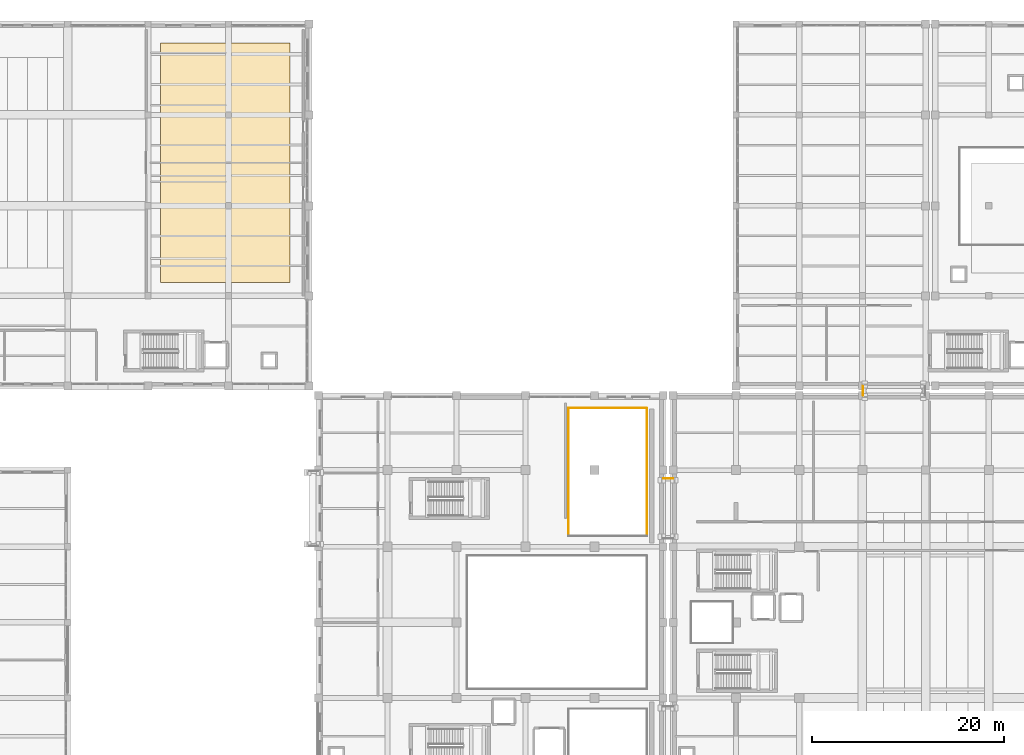
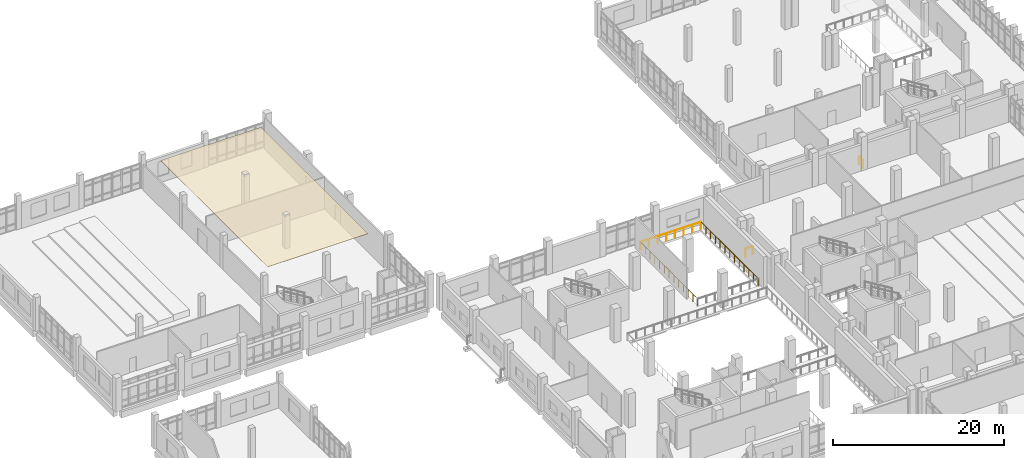
# One storey, part 88 of 90: 5 railings, 1 covering.
"""IFC4 building model written with IfcOpenShell, lengths in metres."""

from ifc_helpers import new_model, si_unit, direction, frame, origin, origin_2d, place, context, subcontext, project, spatial, polyline, circle, outline, extrude, material, layer, layer_set, type_object, element, save


model = new_model("IFC4")

# Units and contexts
model_context = context("Model", 3, precision=1e-05, world=origin(), true_north=direction((0.0, 1.0)))
body_context = subcontext(model_context, "Body", "Model", "MODEL_VIEW")
ifc_project = project(units=[si_unit("LENGTHUNIT", "METRE"), si_unit("AREAUNIT", "SQUARE_METRE"), si_unit("VOLUMEUNIT", "CUBIC_METRE"), si_unit("PLANEANGLEUNIT", "RADIAN"), si_unit("MASSUNIT", "GRAM", prefix="KILO")], contexts=[model_context])

# Site, building, storey
site_placement = place(None, origin())
site = spatial("IfcSite", under=ifc_project, at=site_placement, CompositionType="ELEMENT")
building_placement = place(site_placement, origin())
building = spatial("IfcBuilding", under=site, at=building_placement, Name="Kelarvand Opera House", CompositionType="ELEMENT")
storey_placement = place(building_placement, frame((0.0, 0.0, 5.39990234375)))
storey = spatial("IfcBuildingStorey", under=building, at=storey_placement, Name="L01", CompositionType="ELEMENT", Elevation=5.39990234375)

# Railings
ifc_material_1 = material(Name="Laminated safety glass with bronze cap rail", Category="glass")
railing_type_1 = type_object("IfcRailingType", Name="Laminated Glass and Bronze Foyer Balustrade 1120", PredefinedType="BALUSTRADE", material=ifc_material_1)
railing_1_placement = place(storey_placement, frame((88.0, 77.52001953125, 0.0)))
element("IfcRailing", 1, at=railing_1_placement, inside=storey, type_object=railing_type_1, Name="V1 L01 Balustrade 138", PredefinedType="BALUSTRADE", context=body_context, shape_type="SweptSolid", body=[
    extrude(circle(Radius=0.02392578125, at=origin_2d()), frame((0.0, 0.0, 1.09619140625), z_axis=(1.0, 0.0, 0.0), x_axis=(0.0, 1.0, 0.0)), (0.0, 0.0, 1.0), 1.0),
    extrude(circle(Radius=0.02099609375, at=origin_2d()), origin(), (0.0, 0.0, 1.0), 1.072021484375),
    extrude(circle(Radius=0.02099609375, at=origin_2d()), frame((1.0, 0.0, 0.0)), (0.0, 0.0, 1.0), 1.072021484375),
])
railing_2_placement = place(storey_placement, frame((108.8798828125, 86.199951171875, 0.0)))
element("IfcRailing", 2, at=railing_2_placement, inside=storey, type_object=railing_type_1, Name="V1 L01 Balustrade 173", PredefinedType="BALUSTRADE", context=body_context, shape_type="SweptSolid", body=[
    extrude(circle(Radius=0.02392578125, at=origin_2d()), frame((0.0, 0.0, 1.09619140625), z_axis=(0.0, 1.0, 0.0), x_axis=(-1.0, 0.0, 0.0)), (0.0, 0.0, 1.0), 1.0),
    extrude(circle(Radius=0.02099609375, at=origin_2d()), origin(), (0.0, 0.0, 1.0), 1.072021484375),
    extrude(circle(Radius=0.02099609375, at=origin_2d()), frame((0.0, 1.0, 0.0)), (0.0, 0.0, 1.0), 1.072021484375),
])
ifc_material_2 = material(Name="Powder-coated Steel S355", Category="steel")
railing_type_2 = type_object("IfcRailingType", Name="Painted Steel Stair and Void Guardrail 1100", PredefinedType="GUARDRAIL", material=ifc_material_2)
railing_3_placement = place(storey_placement, frame((86.280029296875, 84.8798828125, 0.0)))
element("IfcRailing", 3, at=railing_3_placement, inside=storey, type_object=railing_type_2, Name="V2 L01 Guardrail 37", PredefinedType="GUARDRAIL", context=body_context, shape_type="SweptSolid", body=[
    extrude(circle(Radius=0.02392578125, at=origin_2d()), frame((0.0, 0.0, 1.076171875), z_axis=(0.0, -1.0, 0.0), x_axis=(1.0, 0.0, 0.0)), (0.0, 0.0, 1.0), 13.35986328125),
    extrude(circle(Radius=0.02099609375, at=origin_2d()), origin(), (0.0, 0.0, 1.0), 1.052001953125),
    extrude(circle(Radius=0.02099609375, at=origin_2d()), frame((0.0, -1.11328125, 0.0)), (0.0, 0.0, 1.0), 1.052001953125),
    extrude(circle(Radius=0.02099609375, at=origin_2d()), frame((0.0, -2.2265625, 0.0)), (0.0, 0.0, 1.0), 1.052001953125),
    extrude(circle(Radius=0.02099609375, at=origin_2d()), frame((0.0, -3.33984375, 0.0)), (0.0, 0.0, 1.0), 1.052001953125),
    extrude(circle(Radius=0.02099609375, at=origin_2d()), frame((0.0, -4.453369140625, 0.0)), (0.0, 0.0, 1.0), 1.052001953125),
    extrude(circle(Radius=0.02099609375, at=origin_2d()), frame((0.0, -5.566650390625, 0.0)), (0.0, 0.0, 1.0), 1.052001953125),
    extrude(circle(Radius=0.02099609375, at=origin_2d()), frame((0.0, -6.679931640625, 0.0)), (0.0, 0.0, 1.0), 1.052001953125),
    extrude(circle(Radius=0.02099609375, at=origin_2d()), frame((0.0, -7.793212890625, 0.0)), (0.0, 0.0, 1.0), 1.052001953125),
    extrude(circle(Radius=0.02099609375, at=origin_2d()), frame((0.0, -8.906494140625, 0.0)), (0.0, 0.0, 1.0), 1.052001953125),
    extrude(circle(Radius=0.02099609375, at=origin_2d()), frame((0.0, -10.02001953125, 0.0)), (0.0, 0.0, 1.0), 1.052001953125),
    extrude(circle(Radius=0.02099609375, at=origin_2d()), frame((0.0, -11.13330078125, 0.0)), (0.0, 0.0, 1.0), 1.052001953125),
    extrude(circle(Radius=0.02099609375, at=origin_2d()), frame((0.0, -12.24658203125, 0.0)), (0.0, 0.0, 1.0), 1.052001953125),
    extrude(circle(Radius=0.02099609375, at=origin_2d()), frame((0.0, -13.35986328125, 0.0)), (0.0, 0.0, 1.0), 1.052001953125),
])
railing_4_placement = place(storey_placement, frame((78.1201171875, 71.52001953125, 0.0)))
element("IfcRailing", 4, at=railing_4_placement, inside=storey, type_object=railing_type_2, Name="V2 L01 Guardrail 39", PredefinedType="GUARDRAIL", context=body_context, shape_type="SweptSolid", body=[
    extrude(circle(Radius=0.02392578125, at=origin_2d()), frame((0.0, 0.0, 1.076171875), z_axis=(0.0, 1.0, 0.0), x_axis=(-1.0, 0.0, 0.0)), (0.0, 0.0, 1.0), 13.35986328125),
    extrude(circle(Radius=0.02099609375, at=origin_2d()), origin(), (0.0, 0.0, 1.0), 1.052001953125),
    extrude(circle(Radius=0.02099609375, at=origin_2d()), frame((0.0, 1.11328125, 0.0)), (0.0, 0.0, 1.0), 1.052001953125),
    extrude(circle(Radius=0.02099609375, at=origin_2d()), frame((0.0, 2.2265625, 0.0)), (0.0, 0.0, 1.0), 1.052001953125),
    extrude(circle(Radius=0.02099609375, at=origin_2d()), frame((0.0, 3.33984375, 0.0)), (0.0, 0.0, 1.0), 1.052001953125),
    extrude(circle(Radius=0.02099609375, at=origin_2d()), frame((0.0, 4.453369140625, 0.0)), (0.0, 0.0, 1.0), 1.052001953125),
    extrude(circle(Radius=0.02099609375, at=origin_2d()), frame((0.0, 5.566650390625, 0.0)), (0.0, 0.0, 1.0), 1.052001953125),
    extrude(circle(Radius=0.02099609375, at=origin_2d()), frame((0.0, 6.679931640625, 0.0)), (0.0, 0.0, 1.0), 1.052001953125),
    extrude(circle(Radius=0.02099609375, at=origin_2d()), frame((0.0, 7.793212890625, 0.0)), (0.0, 0.0, 1.0), 1.052001953125),
    extrude(circle(Radius=0.02099609375, at=origin_2d()), frame((0.0, 8.906494140625, 0.0)), (0.0, 0.0, 1.0), 1.052001953125),
    extrude(circle(Radius=0.02099609375, at=origin_2d()), frame((0.0, 10.02001953125, 0.0)), (0.0, 0.0, 1.0), 1.052001953125),
    extrude(circle(Radius=0.02099609375, at=origin_2d()), frame((0.0, 11.13330078125, 0.0)), (0.0, 0.0, 1.0), 1.052001953125),
    extrude(circle(Radius=0.02099609375, at=origin_2d()), frame((0.0, 12.24658203125, 0.0)), (0.0, 0.0, 1.0), 1.052001953125),
    extrude(circle(Radius=0.02099609375, at=origin_2d()), frame((0.0, 13.35986328125, 0.0)), (0.0, 0.0, 1.0), 1.052001953125),
])
railing_5_placement = place(storey_placement, frame((78.1201171875, 84.8798828125, 0.0)))
element("IfcRailing", 5, at=railing_5_placement, inside=storey, type_object=railing_type_2, Name="V2 L01 Guardrail 40", PredefinedType="GUARDRAIL", context=body_context, shape_type="SweptSolid", body=[
    extrude(circle(Radius=0.02392578125, at=origin_2d()), frame((0.0, 0.0, 1.076171875), z_axis=(1.0, 0.0, 0.0), x_axis=(0.0, 1.0, 0.0)), (0.0, 0.0, 1.0), 8.159912109375),
    extrude(circle(Radius=0.02099609375, at=origin_2d()), origin(), (0.0, 0.0, 1.0), 1.052001953125),
    extrude(circle(Radius=0.02099609375, at=origin_2d()), frame((1.165771484375, 0.0, 0.0)), (0.0, 0.0, 1.0), 1.052001953125),
    extrude(circle(Radius=0.02099609375, at=origin_2d()), frame((2.331298828125, 0.0, 0.0)), (0.0, 0.0, 1.0), 1.052001953125),
    extrude(circle(Radius=0.02099609375, at=origin_2d()), frame((3.4970703125, 0.0, 0.0)), (0.0, 0.0, 1.0), 1.052001953125),
    extrude(circle(Radius=0.02099609375, at=origin_2d()), frame((4.662841796875, 0.0, 0.0)), (0.0, 0.0, 1.0), 1.052001953125),
    extrude(circle(Radius=0.02099609375, at=origin_2d()), frame((5.82861328125, 0.0, 0.0)), (0.0, 0.0, 1.0), 1.052001953125),
    extrude(circle(Radius=0.02099609375, at=origin_2d()), frame((6.994140625, 0.0, 0.0)), (0.0, 0.0, 1.0), 1.052001953125),
    extrude(circle(Radius=0.02099609375, at=origin_2d()), frame((8.159912109375, 0.0, 0.0)), (0.0, 0.0, 1.0), 1.052001953125),
])

# Covering
ifc_material_3 = material(Name="Perforated walnut acoustic slats on steel sub-frame", Category="steel")
ifc_layer = layer(ifc_material_3, 0.06005859375, Name="Perforated walnut acoustic slats on steel sub-frame", Category="steel")
ifc_layer_set = layer_set([ifc_layer], Name="Perforated walnut acoustic slats on steel sub-frame")
covering_type = type_object("IfcCoveringType", Name="Sculpted Timber Acoustic Soffit and Hall Ceiling 60mm", PredefinedType="CEILING", material=ifc_layer_set)
covering_placement = place(storey_placement, frame((0.0, 0.0, 4.440185546875)))
element("IfcCovering", 6, at=covering_placement, inside=storey, type_object=covering_type, Name="V3 L01 Acoustic Walnut Ceiling 4", PredefinedType="CEILING", context=body_context, shape_type="SweptSolid", body=[
    extrude(outline(polyline([(35.5, 98.0), (49.0, 98.0), (49.0, 123.0), (35.5, 123.0), (35.5, 98.0)])), origin(), (0.0, 0.0, 1.0), 0.059814453125),
])

save(model, "model.ifc")
